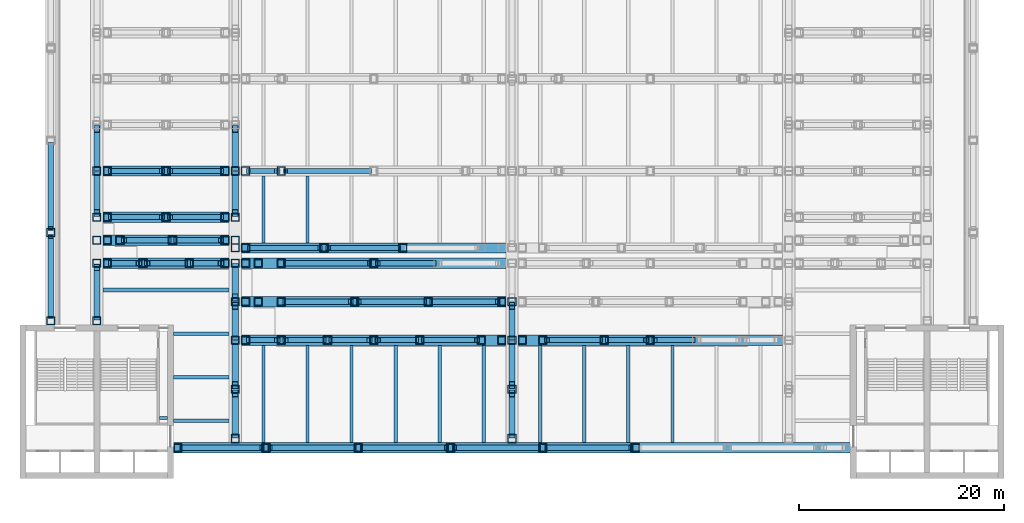
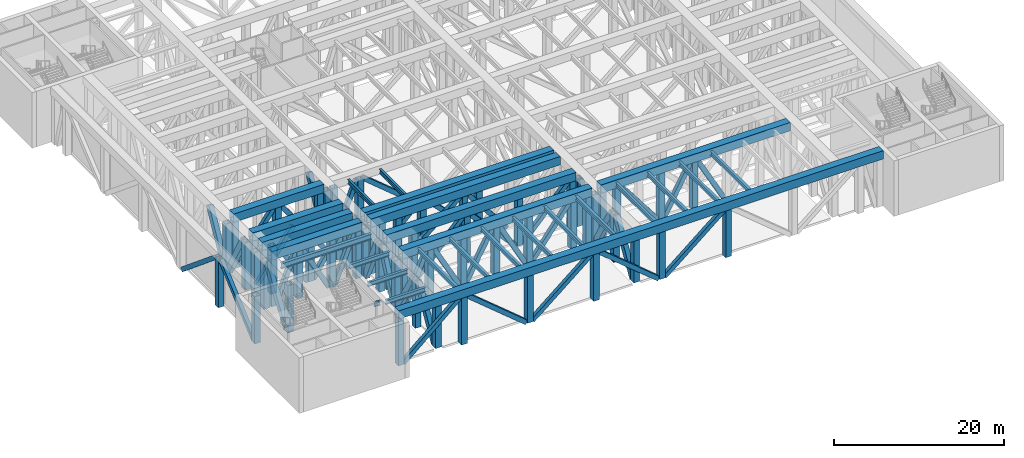
# One storey, part 1 of 20: 121 members, 17 beams.
"""IFC4 building model written with IfcOpenShell, lengths in metres."""

from ifc_helpers import new_model, si_unit, direction, frame, origin, origin_2d, place, context, subcontext, project, spatial, hollow_rectangle, i_section, extrude, material, material_profile, profile_set, type_object, element, save


model = new_model("IFC4")

# Units and contexts
model_context = context("Model", 3, precision=1e-05, world=origin(), true_north=direction((0.0, 1.0)))
body_context = subcontext(model_context, "Body", "Model", "MODEL_VIEW")
ifc_project = project(units=[si_unit("LENGTHUNIT", "METRE"), si_unit("AREAUNIT", "SQUARE_METRE"), si_unit("VOLUMEUNIT", "CUBIC_METRE"), si_unit("PLANEANGLEUNIT", "RADIAN"), si_unit("MASSUNIT", "GRAM", prefix="KILO")], contexts=[model_context])

# Site, building, storey
site_placement = place(None, origin())
site = spatial("IfcSite", under=ifc_project, at=site_placement, CompositionType="ELEMENT")
building_placement = place(site_placement, origin())
building = spatial("IfcBuilding", under=site, at=building_placement, Name="Corbelhall Arena Tower", CompositionType="ELEMENT")
storey_placement = place(building_placement, frame((0.0, 0.0, 52.0)))
storey = spatial("IfcBuildingStorey", under=building, at=storey_placement, Name="L07", CompositionType="ELEMENT", Elevation=52.0)

# Beams
ifc_material_1 = material(Name="Steel ASTM A992 Gr50", Category="steel")
ifc_material_profile_1 = material_profile(ifc_material_1, i_section(OverallWidth=0.323974609375, OverallDepth=0.611083984375, WebThickness=0.0126953125, FlangeThickness=0.01904296875, at=origin_2d()))
ifc_profile_set_1 = profile_set([ifc_material_profile_1], Name="Steel ASTM A992 Gr50")
beam_type_1 = type_object("IfcBeamType", Name="PO-BEAM-W24X104", PredefinedType="BEAM", material=ifc_profile_set_1)
for number, where, z_axis, x_axis, name in (
    (1, (-33.0, -33.375, 7.39453125), (1.0, 0.0, 0.0), (0.0, 1.0, 0.0), "DECK BEAM TOP 12.1"),
    (2, (-33.0, -29.125, 7.39453125), (1.0, 0.0, 0.0), (0.0, 1.0, 0.0), "DECK BEAM TOP 12.2"),
    (3, (-33.0, -24.875, 7.39453125), (1.0, 0.0, 0.0), (0.0, 1.0, 0.0), "DECK BEAM TOP 12.3"),
):
    element("IfcBeam", number, at=place(storey_placement, frame(where, z_axis=z_axis, x_axis=x_axis)), inside=storey, type_object=beam_type_1, Name=name, PredefinedType="BEAM", context=body_context, shape_type="SweptSolid", body=[
        extrude(i_section(OverallWidth=0.323974609375, OverallDepth=0.611083984375, WebThickness=0.0126953125, FlangeThickness=0.01904296875, at=origin_2d()), origin(), (0.0, 0.0, 1.0), 5.39990234375),
    ])
for number, where, z_axis, x_axis, name in (
    (4, (-24.25, -35.5, 7.39453125), (0.0, 1.0, 0.0), (-1.0, 0.0, 0.0), "DECK BEAM TOP 17.1"),
    (5, (-19.949951171875, -35.5, 7.39453125), (0.0, 1.0, 0.0), (-1.0, 0.0, 0.0), "DECK BEAM TOP 17.2"),
    (6, (-15.64990234375, -35.5, 7.39453125), (0.0, 1.0, 0.0), (-1.0, 0.0, 0.0), "DECK BEAM TOP 17.3"),
    (7, (-11.35009765625, -35.5, 7.39453125), (0.0, 1.0, 0.0), (-1.0, 0.0, 0.0), "DECK BEAM TOP 17.4"),
    (8, (-7.050048828125, -35.5, 7.39453125), (0.0, 1.0, 0.0), (-1.0, 0.0, 0.0), "DECK BEAM TOP 17.5"),
    (9, (-2.75, -35.5, 7.39453125), (0.0, 1.0, 0.0), (-1.0, 0.0, 0.0), "DECK BEAM TOP 17.6"),
):
    element("IfcBeam", number, at=place(storey_placement, frame(where, z_axis=z_axis, x_axis=x_axis)), inside=storey, type_object=beam_type_1, Name=name, PredefinedType="BEAM", context=body_context, shape_type="SweptSolid", body=[
        extrude(i_section(OverallWidth=0.323974609375, OverallDepth=0.611083984375, WebThickness=0.0126953125, FlangeThickness=0.01904296875, at=origin_2d()), origin(), (0.0, 0.0, 1.0), 9.5),
    ])
for number, where, z_axis, x_axis, name in (
    (10, (-24.25, -16.0, 7.284423828125), (0.0, 1.0, 0.0), (-1.0, 0.0, 0.0), "DECK BEAM TOP 21.1"),
    (11, (-19.949951171875, -16.0, 7.284423828125), (0.0, 1.0, 0.0), (-1.0, 0.0, 0.0), "DECK BEAM TOP 21.2"),
):
    element("IfcBeam", number, at=place(storey_placement, frame(where, z_axis=z_axis, x_axis=x_axis)), inside=storey, type_object=beam_type_1, Name=name, PredefinedType="BEAM", context=body_context, shape_type="SweptSolid", body=[
        extrude(i_section(OverallWidth=0.323974609375, OverallDepth=0.611083984375, WebThickness=0.0126953125, FlangeThickness=0.01904296875, at=origin_2d()), origin(), (0.0, 0.0, 1.0), 6.5),
    ])
for number, where, z_axis, x_axis, name in (
    (12, (2.75, -35.5, 7.39453125), (0.0, 1.0, 0.0), (-1.0, 0.0, 0.0), "DECK BEAM TOP 28.1"),
    (13, (7.050048828125, -35.5, 7.39453125), (0.0, 1.0, 0.0), (-1.0, 0.0, 0.0), "DECK BEAM TOP 28.2"),
    (14, (11.35009765625, -35.5, 7.39453125), (0.0, 1.0, 0.0), (-1.0, 0.0, 0.0), "DECK BEAM TOP 28.3"),
    (15, (15.64990234375, -35.5, 7.39453125), (0.0, 1.0, 0.0), (-1.0, 0.0, 0.0), "DECK BEAM TOP 28.4"),
):
    element("IfcBeam", number, at=place(storey_placement, frame(where, z_axis=z_axis, x_axis=x_axis)), inside=storey, type_object=beam_type_1, Name=name, PredefinedType="BEAM", context=body_context, shape_type="SweptSolid", body=[
        extrude(i_section(OverallWidth=0.323974609375, OverallDepth=0.611083984375, WebThickness=0.0126953125, FlangeThickness=0.01904296875, at=origin_2d()), origin(), (0.0, 0.0, 1.0), 9.5),
    ])
beam_1_placement = place(storey_placement, frame((-34.409912109375, -33.10009765625, 7.39453125), z_axis=(1.0, 0.0, 0.0), x_axis=(0.0, 1.0, 0.0)))
element("IfcBeam", 16, at=beam_1_placement, inside=storey, type_object=beam_type_1, Name="Strip floor header beam SW", PredefinedType="BEAM", context=body_context, shape_type="SweptSolid", body=[
    extrude(i_section(OverallWidth=0.323974609375, OverallDepth=0.611083984375, WebThickness=0.0126953125, FlangeThickness=0.01904296875, at=origin_2d()), origin(), (0.0, 0.0, 1.0), 0.809814453125),
])
ifc_material_profile_2 = material_profile(ifc_material_1, i_section(OverallWidth=0.381103515625, OverallDepth=0.77294921875, WebThickness=0.0166015625, FlangeThickness=0.027099609375, at=origin_2d()))
ifc_profile_set_2 = profile_set([ifc_material_profile_2], Name="Steel ASTM A992 Gr50")
beam_type_2 = type_object("IfcBeamType", Name="PO-BEAM-W30X173", PredefinedType="BEAM", material=ifc_profile_set_2)
beam_2_placement = place(storey_placement, frame((-39.89990234375, -20.625, 7.3134765625), z_axis=(1.0, 0.0, 0.0), x_axis=(0.0, 1.0, 0.0)))
element("IfcBeam", 17, at=beam_2_placement, inside=storey, type_object=beam_type_2, Name="DECK BEAM TOP 12.4", PredefinedType="BEAM", context=body_context, shape_type="SweptSolid", body=[
    extrude(i_section(OverallWidth=0.381103515625, OverallDepth=0.77294921875, WebThickness=0.0166015625, FlangeThickness=0.027099609375, at=origin_2d()), origin(), (0.0, 0.0, 1.0), 12.2998046875),
])

# Members
ifc_material_2 = material(Name="Steel ASTM A572 Gr50", Category="steel")
ifc_material_profile_3 = material_profile(ifc_material_2, hollow_rectangle(XDim=0.5, YDim=0.60009765625, WallThickness=0.030029296875, at=origin_2d()))
ifc_profile_set_3 = profile_set([ifc_material_profile_3], Name="Steel ASTM A572 Gr50")
member_type_1 = type_object("IfcMemberType", Name="PO-BRACE-600X500X30", PredefinedType="BRACE", material=ifc_profile_set_3)
member_1_placement = place(storey_placement, frame((-32.199951171875, -36.0, 0.0), z_axis=(0.753772430258, 0.0, 0.657135544148), x_axis=(0.0, 1.0, 0.0)))
element("IfcMember", 18, at=member_1_placement, inside=storey, type_object=member_type_1, Name="TRUSS EDGE-S BRACE 2.1", PredefinedType="BRACE", context=body_context, shape_type="SweptSolid", body=[
    extrude(hollow_rectangle(XDim=0.5, YDim=0.60009765625, WallThickness=0.030029296875, at=origin_2d()), origin(), (0.0, 0.0, 1.0), 10.347900390625),
])
for number, where, z_axis, x_axis, name in (
    (19, (-23.60009765625, -36.0, 6.800048828125), (0.769763178873, 0.0, -0.638329576669), (0.0, 1.0, 0.0), "TRUSS EDGE-S BRACE 2.2"),
    (20, (-14.60009765625, -36.0, 0.0), (0.769763178873, 0.0, 0.638329576669), (0.0, 1.0, 0.0), "TRUSS EDGE-S BRACE 2.3"),
    (21, (-5.60009765625, -36.0, 6.800048828125), (0.769763178873, 0.0, -0.638329576669), (0.0, 1.0, 0.0), "TRUSS EDGE-S BRACE 2.4"),
    (22, (3.39990234375, -36.0, 0.0), (0.769763178873, 0.0, 0.638329576669), (0.0, 1.0, 0.0), "TRUSS EDGE-S BRACE 2.5"),
):
    element("IfcMember", number, at=place(storey_placement, frame(where, z_axis=z_axis, x_axis=x_axis)), inside=storey, type_object=member_type_1, Name=name, PredefinedType="BRACE", context=body_context, shape_type="SweptSolid", body=[
        extrude(hollow_rectangle(XDim=0.5, YDim=0.60009765625, WallThickness=0.030029296875, at=origin_2d()), origin(), (0.0, 0.0, 1.0), 10.65283203125),
    ])
member_2_placement = place(storey_placement, frame((-45.0, -23.199951171875, 0.0), z_axis=(0.0, 0.753772430258, 0.657135544148), x_axis=(-1.0, 0.0, 0.0)))
element("IfcMember", 23, at=member_2_placement, inside=storey, type_object=member_type_1, Name="TRUSS EDGE-W BRACE 2.1", PredefinedType="BRACE", context=body_context, shape_type="SweptSolid", body=[
    extrude(hollow_rectangle(XDim=0.5, YDim=0.60009765625, WallThickness=0.030029296875, at=origin_2d()), origin(), (0.0, 0.0, 1.0), 10.347900390625),
])
member_3_placement = place(storey_placement, frame((-45.0, -14.60009765625, 6.800048828125), z_axis=(0.0, 0.769763178873, -0.638329576669), x_axis=(-1.0, 0.0, 0.0)))
element("IfcMember", 24, at=member_3_placement, inside=storey, type_object=member_type_1, Name="TRUSS EDGE-W BRACE 2.2", PredefinedType="BRACE", context=body_context, shape_type="SweptSolid", body=[
    extrude(hollow_rectangle(XDim=0.5, YDim=0.60009765625, WallThickness=0.030029296875, at=origin_2d()), origin(), (0.0, 0.0, 1.0), 10.65283203125),
])
member_4_placement = place(storey_placement, frame((-25.60009765625, -25.5, 0.0), z_axis=(0.369053718093, 0.0, 0.929408066008), x_axis=(0.0, 1.0, 0.0)))
element("IfcMember", 25, at=member_4_placement, inside=storey, type_object=member_type_1, Name="TRUSS SEC-S25.50-1 BRACE 2.1", PredefinedType="BRACE", context=body_context, shape_type="SweptSolid", body=[
    extrude(hollow_rectangle(XDim=0.5, YDim=0.60009765625, WallThickness=0.030029296875, at=origin_2d()), origin(), (0.0, 0.0, 1.0), 7.316650390625),
])
for number, where, z_axis, x_axis, name in (
    (26, (-22.10009765625, -25.5, 6.800048828125), (0.477963647565, 0.0, -0.878379617026), (0.0, 1.0, 0.0), "TRUSS SEC-S25.50-1 BRACE 2.2"),
    (27, (-17.60009765625, -25.5, 0.0), (0.477963647565, 0.0, 0.878379617026), (0.0, 1.0, 0.0), "TRUSS SEC-S25.50-1 BRACE 2.3"),
    (28, (-13.10009765625, -25.5, 6.800048828125), (0.477963647565, 0.0, -0.878379617026), (0.0, 1.0, 0.0), "TRUSS SEC-S25.50-1 BRACE 2.4"),
):
    element("IfcMember", number, at=place(storey_placement, frame(where, z_axis=z_axis, x_axis=x_axis)), inside=storey, type_object=member_type_1, Name=name, PredefinedType="BRACE", context=body_context, shape_type="SweptSolid", body=[
        extrude(hollow_rectangle(XDim=0.5, YDim=0.60009765625, WallThickness=0.030029296875, at=origin_2d()), origin(), (0.0, 0.0, 1.0), 7.74169921875),
    ])
for number, where, z_axis, x_axis, name in (
    (29, (-8.60009765625, -25.5, 0.0), (0.607461751861, 0.0, 0.794348928385), (0.0, 1.0, 0.0), "TRUSS SEC-S25.50-1 BRACE 2.5"),
    (30, (3.39990234375, -25.5, 6.800048828125), (0.607461751861, 0.0, -0.794348928385), (0.0, 1.0, 0.0), "TRUSS SEC-S25.50-2 BRACE 2.2"),
):
    element("IfcMember", number, at=place(storey_placement, frame(where, z_axis=z_axis, x_axis=x_axis)), inside=storey, type_object=member_type_1, Name=name, PredefinedType="BRACE", context=body_context, shape_type="SweptSolid", body=[
        extrude(hollow_rectangle(XDim=0.5, YDim=0.60009765625, WallThickness=0.030029296875, at=origin_2d()), origin(), (0.0, 0.0, 1.0), 8.560546875),
    ])
for number, where, z_axis, x_axis, name in (
    (31, (9.39990234375, -25.5, 0.0), (0.477963647565, 0.0, 0.878379617026), (0.0, 1.0, 0.0), "TRUSS SEC-S25.50-2 BRACE 2.3"),
    (32, (13.89990234375, -25.5, 6.800048828125), (0.477963647565, 0.0, -0.878379617026), (0.0, 1.0, 0.0), "TRUSS SEC-S25.50-2 BRACE 2.4"),
):
    element("IfcMember", number, at=place(storey_placement, frame(where, z_axis=z_axis, x_axis=x_axis)), inside=storey, type_object=member_type_1, Name=name, PredefinedType="BRACE", context=body_context, shape_type="SweptSolid", body=[
        extrude(hollow_rectangle(XDim=0.5, YDim=0.60009765625, WallThickness=0.030029296875, at=origin_2d()), origin(), (0.0, 0.0, 1.0), 7.74169921875),
    ])
for number, where, z_axis, x_axis, name in (
    (33, (-22.10009765625, -21.75, 0.0), (0.683464108742, 0.0, 0.729984117677), (0.0, 1.0, 0.0), "TRUSS SEC-S21.75-1 BRACE 2.3"),
    (34, (-14.933349609375, -21.75, 6.800048828125), (0.683464108742, 0.0, -0.729984117677), (0.0, 1.0, 0.0), "TRUSS SEC-S21.75-1 BRACE 2.4"),
    (35, (-7.7666015625, -21.75, 0.0), (0.683464108742, 0.0, 0.729984117677), (0.0, 1.0, 0.0), "TRUSS SEC-S21.75-1 BRACE 2.5"),
):
    element("IfcMember", number, at=place(storey_placement, frame(where, z_axis=z_axis, x_axis=x_axis)), inside=storey, type_object=member_type_1, Name=name, PredefinedType="BRACE", context=body_context, shape_type="SweptSolid", body=[
        extrude(hollow_rectangle(XDim=0.5, YDim=0.60009765625, WallThickness=0.030029296875, at=origin_2d()), origin(), (0.0, 0.0, 1.0), 9.3154296875),
    ])
member_5_placement = place(storey_placement, frame((-39.10009765625, -18.0, 0.0), z_axis=(0.369053718093, 0.0, 0.929408066008), x_axis=(0.0, 1.0, 0.0)))
element("IfcMember", 36, at=member_5_placement, inside=storey, type_object=member_type_1, Name="TRUSS SEC-S18.00-0 BRACE 2.1", PredefinedType="BRACE", context=body_context, shape_type="SweptSolid", body=[
    extrude(hollow_rectangle(XDim=0.5, YDim=0.60009765625, WallThickness=0.030029296875, at=origin_2d()), origin(), (0.0, 0.0, 1.0), 7.316650390625),
])
member_6_placement = place(storey_placement, frame((-35.60009765625, -18.0, 6.800048828125), z_axis=(0.477963647565, 0.0, -0.878379617026), x_axis=(0.0, 1.0, 0.0)))
element("IfcMember", 37, at=member_6_placement, inside=storey, type_object=member_type_1, Name="TRUSS SEC-S18.00-0 BRACE 2.2", PredefinedType="BRACE", context=body_context, shape_type="SweptSolid", body=[
    extrude(hollow_rectangle(XDim=0.5, YDim=0.60009765625, WallThickness=0.030029296875, at=origin_2d()), origin(), (0.0, 0.0, 1.0), 7.74169921875),
])
member_7_placement = place(storey_placement, frame((-31.10009765625, -18.0, 0.0), z_axis=(0.369053718093, 0.0, 0.929408066008), x_axis=(0.0, 1.0, 0.0)))
element("IfcMember", 38, at=member_7_placement, inside=storey, type_object=member_type_1, Name="TRUSS SEC-S18.00-0 BRACE 2.3", PredefinedType="BRACE", context=body_context, shape_type="SweptSolid", body=[
    extrude(hollow_rectangle(XDim=0.5, YDim=0.60009765625, WallThickness=0.030029296875, at=origin_2d()), origin(), (0.0, 0.0, 1.0), 7.316650390625),
])
member_8_placement = place(storey_placement, frame((-22.10009765625, -18.0, 0.0), z_axis=(0.769763178873, 0.0, 0.638329576669), x_axis=(0.0, 1.0, 0.0)))
element("IfcMember", 39, at=member_8_placement, inside=storey, type_object=member_type_1, Name="TRUSS SEC-S18.00-1 BRACE 2.3", PredefinedType="BRACE", context=body_context, shape_type="SweptSolid", body=[
    extrude(hollow_rectangle(XDim=0.5, YDim=0.60009765625, WallThickness=0.030029296875, at=origin_2d()), origin(), (0.0, 0.0, 1.0), 10.65283203125),
])
member_9_placement = place(storey_placement, frame((-13.10009765625, -18.0, 6.800048828125), z_axis=(0.625405411621, 0.0, -0.780299987899), x_axis=(0.0, 1.0, 0.0)))
element("IfcMember", 40, at=member_9_placement, inside=storey, type_object=member_type_1, Name="TRUSS SEC-S18.00-1 BRACE 2.4", PredefinedType="BRACE", context=body_context, shape_type="SweptSolid", body=[
    extrude(hollow_rectangle(XDim=0.5, YDim=0.60009765625, WallThickness=0.030029296875, at=origin_2d()), origin(), (0.0, 0.0, 1.0), 8.714599609375),
])
for number, where, z_axis, x_axis, name in (
    (41, (-25.60009765625, -16.5, 0.0), (0.71054677033, 0.0, 0.703649974898), (0.0, 1.0, 0.0), "TRUSS SEC-S16.50-1 BRACE 2.1"),
    (42, (-17.933349609375, -16.5, 6.800048828125), (0.71054677033, 0.0, -0.703649974898), (0.0, 1.0, 0.0), "TRUSS SEC-S16.50-1 BRACE 2.2"),
):
    element("IfcMember", number, at=place(storey_placement, frame(where, z_axis=z_axis, x_axis=x_axis)), inside=storey, type_object=member_type_1, Name=name, PredefinedType="BRACE", context=body_context, shape_type="SweptSolid", body=[
        extrude(hollow_rectangle(XDim=0.5, YDim=0.60009765625, WallThickness=0.030029296875, at=origin_2d()), origin(), (0.0, 0.0, 1.0), 9.6640625),
    ])
for number, where, z_axis, x_axis, name in (
    (43, (-37.85009765625, -15.75, 6.800048828125), (0.536689259852, 0.0, -0.843779970347), (0.0, 1.0, 0.0), "TRUSS SEC-S15.75-0 BRACE 2.2"),
    (44, (-32.72509765625, -15.75, 0.0), (0.536689259852, 0.0, 0.843779970347), (0.0, 1.0, 0.0), "TRUSS SEC-S15.75-0 BRACE 2.3"),
):
    element("IfcMember", number, at=place(storey_placement, frame(where, z_axis=z_axis, x_axis=x_axis)), inside=storey, type_object=member_type_1, Name=name, PredefinedType="BRACE", context=body_context, shape_type="SweptSolid", body=[
        extrude(hollow_rectangle(XDim=0.5, YDim=0.60009765625, WallThickness=0.030029296875, at=origin_2d()), origin(), (0.0, 0.0, 1.0), 8.05908203125),
    ])
for number, where, z_axis, x_axis, name in (
    (45, (-39.10009765625, -13.5, 0.0), (0.588537525925, 0.0, 0.808469900848), (0.0, 1.0, 0.0), "TRUSS SEC-S13.50-0 BRACE 2.1"),
    (46, (-33.35009765625, -13.5, 6.800048828125), (0.588537525925, 0.0, -0.808469900848), (0.0, 1.0, 0.0), "TRUSS SEC-S13.50-0 BRACE 2.2"),
    (47, (-39.10009765625, -9.0, 0.0), (0.588537525925, 0.0, 0.808469900848), (0.0, 1.0, 0.0), "TRUSS SEC-S09.00-0 BRACE 2.1"),
    (48, (-33.35009765625, -9.0, 6.800048828125), (0.588537525925, 0.0, -0.808469900848), (0.0, 1.0, 0.0), "TRUSS SEC-S09.00-0 BRACE 2.2"),
):
    element("IfcMember", number, at=place(storey_placement, frame(where, z_axis=z_axis, x_axis=x_axis)), inside=storey, type_object=member_type_1, Name=name, PredefinedType="BRACE", context=body_context, shape_type="SweptSolid", body=[
        extrude(hollow_rectangle(XDim=0.5, YDim=0.60009765625, WallThickness=0.030029296875, at=origin_2d()), origin(), (0.0, 0.0, 1.0), 8.410888671875),
    ])
member_10_placement = place(storey_placement, frame((-25.60009765625, -9.0, 0.0), z_axis=(0.369053718093, 0.0, 0.929408066008), x_axis=(0.0, 1.0, 0.0)))
element("IfcMember", 49, at=member_10_placement, inside=storey, type_object=member_type_1, Name="TRUSS SEC-S09.00-1 BRACE 2.1", PredefinedType="BRACE", context=body_context, shape_type="SweptSolid", body=[
    extrude(hollow_rectangle(XDim=0.5, YDim=0.60009765625, WallThickness=0.030029296875, at=origin_2d()), origin(), (0.0, 0.0, 1.0), 7.316650390625),
])
member_11_placement = place(storey_placement, frame((-22.10009765625, -9.0, 6.800048828125), z_axis=(0.769763178873, 0.0, -0.638329576669), x_axis=(0.0, 1.0, 0.0)))
element("IfcMember", 50, at=member_11_placement, inside=storey, type_object=member_type_1, Name="TRUSS SEC-S09.00-1 BRACE 2.2", PredefinedType="BRACE", context=body_context, shape_type="SweptSolid", body=[
    extrude(hollow_rectangle(XDim=0.5, YDim=0.60009765625, WallThickness=0.030029296875, at=origin_2d()), origin(), (0.0, 0.0, 1.0), 10.65283203125),
])
ifc_material_profile_4 = material_profile(ifc_material_2, hollow_rectangle(XDim=0.60009765625, YDim=0.800048828125, WallThickness=0.0400390625, at=origin_2d()))
ifc_profile_set_4 = profile_set([ifc_material_profile_4], Name="Steel ASTM A572 Gr50")
member_type_2 = type_object("IfcMemberType", Name="PO-BRACE-800X600X40", PredefinedType="BRACE", material=ifc_profile_set_4)
member_12_placement = place(storey_placement, frame((-40.5, -23.199951171875, 0.0), z_axis=(0.0, 0.576684349177, 0.816967050385), x_axis=(-1.0, 0.0, 0.0)))
element("IfcMember", 51, at=member_12_placement, inside=storey, type_object=member_type_2, Name="TRUSS PRI--40.5 BRACE 2.1", PredefinedType="BRACE", context=body_context, shape_type="SweptSolid", body=[
    extrude(hollow_rectangle(XDim=0.60009765625, YDim=0.800048828125, WallThickness=0.0400390625, at=origin_2d()), origin(), (0.0, 0.0, 1.0), 8.323486328125),
])
for number, where, z_axis, x_axis, name in (
    (52, (-40.5, -13.10009765625, 6.800048828125), (0.0, 0.477963647565, -0.878379617026), (-1.0, 0.0, 0.0), "TRUSS PRI--40.5 BRACE 2.4"),
    (53, (-40.5, -8.60009765625, 0.0), (0.0, 0.477963647565, 0.878379617026), (-1.0, 0.0, 0.0), "TRUSS PRI--40.5 BRACE 2.5"),
):
    element("IfcMember", number, at=place(storey_placement, frame(where, z_axis=z_axis, x_axis=x_axis)), inside=storey, type_object=member_type_2, Name=name, PredefinedType="BRACE", context=body_context, shape_type="SweptSolid", body=[
        extrude(hollow_rectangle(XDim=0.60009765625, YDim=0.800048828125, WallThickness=0.0400390625, at=origin_2d()), origin(), (0.0, 0.0, 1.0), 7.74169921875),
    ])
for number, where, z_axis, x_axis, name in (
    (54, (-27.0, -34.699951171875, 0.0), (0.0, 0.507017421779, 0.861935806202), (-1.0, 0.0, 0.0), "TRUSS PRI--27.0 BRACE 2.1"),
    (55, (-27.0, -29.89990234375, 6.800048828125), (0.0, 0.507017421779, -0.861935806202), (-1.0, 0.0, 0.0), "TRUSS PRI--27.0 BRACE 2.2"),
):
    element("IfcMember", number, at=place(storey_placement, frame(where, z_axis=z_axis, x_axis=x_axis)), inside=storey, type_object=member_type_2, Name=name, PredefinedType="BRACE", context=body_context, shape_type="SweptSolid", body=[
        extrude(hollow_rectangle(XDim=0.60009765625, YDim=0.800048828125, WallThickness=0.0400390625, at=origin_2d()), origin(), (0.0, 0.0, 1.0), 7.88916015625),
    ])
for number, where, z_axis, x_axis, name in (
    (56, (-27.0, -25.10009765625, 0.0), (0.0, 0.398005781953, 0.917382906715), (-1.0, 0.0, 0.0), "TRUSS PRI--27.0 BRACE 2.3"),
    (57, (-27.0, -21.35009765625, 6.800048828125), (0.0, 0.398005781953, -0.917382906715), (-1.0, 0.0, 0.0), "TRUSS PRI--27.0 BRACE 2.4"),
):
    element("IfcMember", number, at=place(storey_placement, frame(where, z_axis=z_axis, x_axis=x_axis)), inside=storey, type_object=member_type_2, Name=name, PredefinedType="BRACE", context=body_context, shape_type="SweptSolid", body=[
        extrude(hollow_rectangle(XDim=0.60009765625, YDim=0.800048828125, WallThickness=0.0400390625, at=origin_2d()), origin(), (0.0, 0.0, 1.0), 7.412353515625),
    ])
for number, where, z_axis, x_axis, name in (
    (58, (-27.0, -13.10009765625, 6.800048828125), (0.0, 0.477963647565, -0.878379617026), (-1.0, 0.0, 0.0), "TRUSS PRI--27.0 BRACE 2.8"),
    (59, (-27.0, -8.60009765625, 0.0), (0.0, 0.477963647565, 0.878379617026), (-1.0, 0.0, 0.0), "TRUSS PRI--27.0 BRACE 2.9"),
):
    element("IfcMember", number, at=place(storey_placement, frame(where, z_axis=z_axis, x_axis=x_axis)), inside=storey, type_object=member_type_2, Name=name, PredefinedType="BRACE", context=body_context, shape_type="SweptSolid", body=[
        extrude(hollow_rectangle(XDim=0.60009765625, YDim=0.800048828125, WallThickness=0.0400390625, at=origin_2d()), origin(), (0.0, 0.0, 1.0), 7.74169921875),
    ])
for number, where, z_axis, x_axis, name in (
    (60, (0.0, -34.699951171875, 0.0), (0.0, 0.507017421779, 0.861935806202), (-1.0, 0.0, 0.0), "TRUSS PRI-+0.0 BRACE 2.1"),
    (61, (0.0, -29.89990234375, 6.800048828125), (0.0, 0.507017421779, -0.861935806202), (-1.0, 0.0, 0.0), "TRUSS PRI-+0.0 BRACE 2.2"),
):
    element("IfcMember", number, at=place(storey_placement, frame(where, z_axis=z_axis, x_axis=x_axis)), inside=storey, type_object=member_type_2, Name=name, PredefinedType="BRACE", context=body_context, shape_type="SweptSolid", body=[
        extrude(hollow_rectangle(XDim=0.60009765625, YDim=0.800048828125, WallThickness=0.0400390625, at=origin_2d()), origin(), (0.0, 0.0, 1.0), 7.88916015625),
    ])
member_13_placement = place(storey_placement, frame((0.0, -25.10009765625, 0.0), z_axis=(0.0, 0.398005781953, 0.917382906715), x_axis=(-1.0, 0.0, 0.0)))
element("IfcMember", 62, at=member_13_placement, inside=storey, type_object=member_type_2, Name="TRUSS PRI-+0.0 BRACE 2.3", PredefinedType="BRACE", context=body_context, shape_type="SweptSolid", body=[
    extrude(hollow_rectangle(XDim=0.60009765625, YDim=0.800048828125, WallThickness=0.0400390625, at=origin_2d()), origin(), (0.0, 0.0, 1.0), 7.412353515625),
])
ifc_material_profile_5 = material_profile(ifc_material_2, hollow_rectangle(XDim=1.0, YDim=1.199951171875, WallThickness=0.06005859375, at=origin_2d()))
ifc_profile_set_5 = profile_set([ifc_material_profile_5], Name="Steel ASTM A572 Gr50")
member_type_3 = type_object("IfcMemberType", Name="PO-CHORD-1200X1000X60", PredefinedType="CHORD", material=ifc_profile_set_5)
member_14_placement = place(storey_placement, frame((-33.0, -36.0, 7.39990234375), z_axis=(1.0, 0.0, 0.0), x_axis=(0.0, 1.0, 0.0)))
element("IfcMember", 63, at=member_14_placement, inside=storey, type_object=member_type_3, Name="TRUSS EDGE-S TOP CHORD", PredefinedType="CHORD", context=body_context, shape_type="SweptSolid", body=[
    extrude(hollow_rectangle(XDim=1.0, YDim=1.199951171875, WallThickness=0.06005859375, at=origin_2d()), origin(), (0.0, 0.0, 1.0), 66.0),
])
for number, where, z_axis, x_axis, name in (
    (64, (-26.39990234375, -25.5, 7.39990234375), (1.0, 0.0, 0.0), (0.0, 1.0, 0.0), "TRUSS SEC-S25.50-1 TOP CHORD"),
    (65, (0.60009765625, -25.5, 7.39990234375), (1.0, 0.0, 0.0), (0.0, 1.0, 0.0), "TRUSS SEC-S25.50-2 TOP CHORD"),
    (66, (-26.39990234375, -21.75, 7.39990234375), (1.0, 0.0, 0.0), (0.0, 1.0, 0.0), "TRUSS SEC-S21.75-1 TOP CHORD"),
):
    element("IfcMember", number, at=place(storey_placement, frame(where, z_axis=z_axis, x_axis=x_axis)), inside=storey, type_object=member_type_3, Name=name, PredefinedType="CHORD", context=body_context, shape_type="SweptSolid", body=[
        extrude(hollow_rectangle(XDim=1.0, YDim=1.199951171875, WallThickness=0.06005859375, at=origin_2d()), origin(), (0.0, 0.0, 1.0), 25.7998046875),
    ])
member_15_placement = place(storey_placement, frame((-39.89990234375, -18.0, 7.39990234375), z_axis=(1.0, 0.0, 0.0), x_axis=(0.0, 1.0, 0.0)))
element("IfcMember", 67, at=member_15_placement, inside=storey, type_object=member_type_3, Name="TRUSS SEC-S18.00-0 TOP CHORD", PredefinedType="CHORD", context=body_context, shape_type="SweptSolid", body=[
    extrude(hollow_rectangle(XDim=1.0, YDim=1.199951171875, WallThickness=0.06005859375, at=origin_2d()), origin(), (0.0, 0.0, 1.0), 12.2998046875),
])
for number, where, z_axis, x_axis, name in (
    (68, (-26.39990234375, -18.0, 7.39990234375), (1.0, 0.0, 0.0), (0.0, 1.0, 0.0), "TRUSS SEC-S18.00-1 TOP CHORD"),
    (69, (-26.39990234375, -16.5, 7.39990234375), (1.0, 0.0, 0.0), (0.0, 1.0, 0.0), "TRUSS SEC-S16.50-1 TOP CHORD"),
):
    element("IfcMember", number, at=place(storey_placement, frame(where, z_axis=z_axis, x_axis=x_axis)), inside=storey, type_object=member_type_3, Name=name, PredefinedType="CHORD", context=body_context, shape_type="SweptSolid", body=[
        extrude(hollow_rectangle(XDim=1.0, YDim=1.199951171875, WallThickness=0.06005859375, at=origin_2d()), origin(), (0.0, 0.0, 1.0), 25.7998046875),
    ])
for number, where, z_axis, x_axis, name in (
    (70, (-39.89990234375, -15.75, 7.39990234375), (1.0, 0.0, 0.0), (0.0, 1.0, 0.0), "TRUSS SEC-S15.75-0 TOP CHORD"),
    (71, (-39.89990234375, -13.5, 7.39990234375), (1.0, 0.0, 0.0), (0.0, 1.0, 0.0), "TRUSS SEC-S13.50-0 TOP CHORD"),
    (72, (-39.89990234375, -9.0, 7.39990234375), (1.0, 0.0, 0.0), (0.0, 1.0, 0.0), "TRUSS SEC-S09.00-0 TOP CHORD"),
):
    element("IfcMember", number, at=place(storey_placement, frame(where, z_axis=z_axis, x_axis=x_axis)), inside=storey, type_object=member_type_3, Name=name, PredefinedType="CHORD", context=body_context, shape_type="SweptSolid", body=[
        extrude(hollow_rectangle(XDim=1.0, YDim=1.199951171875, WallThickness=0.06005859375, at=origin_2d()), origin(), (0.0, 0.0, 1.0), 12.2998046875),
    ])
ifc_material_profile_6 = material_profile(ifc_material_2, hollow_rectangle(XDim=0.800048828125, YDim=0.800048828125, WallThickness=0.050048828125, at=origin_2d()))
ifc_profile_set_6 = profile_set([ifc_material_profile_6], Name="Steel ASTM A572 Gr50")
member_type_4 = type_object("IfcMemberType", Name="PO-POST-800", PredefinedType="POST", material=ifc_profile_set_6)
for number, where, z_axis, x_axis, name in (
    (73, (-32.60009765625, -36.0, 0.0), (0.0, 0.0, 1.0), (1.0, 0.0, 0.0), "TRUSS EDGE-S POST 2.1"),
    (74, (-24.0, -36.0, 0.0), (0.0, 0.0, 1.0), (1.0, 0.0, 0.0), "TRUSS EDGE-S POST 2.2"),
    (75, (-15.0, -36.0, 0.0), (0.0, 0.0, 1.0), (1.0, 0.0, 0.0), "TRUSS EDGE-S POST 2.3"),
    (76, (-6.0, -36.0, 0.0), (0.0, 0.0, 1.0), (1.0, 0.0, 0.0), "TRUSS EDGE-S POST 2.4"),
    (77, (3.0, -36.0, 0.0), (0.0, 0.0, 1.0), (1.0, 0.0, 0.0), "TRUSS EDGE-S POST 2.5"),
    (78, (12.0, -36.0, 0.0), (0.0, 0.0, 1.0), (1.0, 0.0, 0.0), "TRUSS EDGE-S POST 2.6"),
    (79, (-45.0, -23.60009765625, 0.0), (0.0, 0.0, 1.0), (1.0, 0.0, 0.0), "TRUSS EDGE-W POST 2.1"),
    (80, (-45.0, -15.0, 0.0), (0.0, 0.0, 1.0), (1.0, 0.0, 0.0), "TRUSS EDGE-W POST 2.2"),
    (81, (-26.0, -25.5, 0.0), (0.0, 0.0, 1.0), (1.0, 0.0, 0.0), "TRUSS SEC-S25.50-1 POST 2.1"),
    (82, (-22.5, -25.5, 0.0), (0.0, 0.0, 1.0), (1.0, 0.0, 0.0), "TRUSS SEC-S25.50-1 POST 2.2"),
    (83, (-18.0, -25.5, 0.0), (0.0, 0.0, 1.0), (1.0, 0.0, 0.0), "TRUSS SEC-S25.50-1 POST 2.3"),
    (84, (-13.5, -25.5, 0.0), (0.0, 0.0, 1.0), (1.0, 0.0, 0.0), "TRUSS SEC-S25.50-1 POST 2.4"),
    (85, (-9.0, -25.5, 0.0), (0.0, 0.0, 1.0), (1.0, 0.0, 0.0), "TRUSS SEC-S25.50-1 POST 2.5"),
    (86, (-3.0, -25.5, 0.0), (0.0, 0.0, 1.0), (1.0, 0.0, 0.0), "TRUSS SEC-S25.50-1 POST 2.6"),
    (87, (-1.0, -25.5, 0.0), (0.0, 0.0, 1.0), (1.0, 0.0, 0.0), "TRUSS SEC-S25.50-1 POST 2.7"),
    (88, (1.0, -25.5, 0.0), (0.0, 0.0, 1.0), (1.0, 0.0, 0.0), "TRUSS SEC-S25.50-2 POST 2.1"),
    (89, (3.0, -25.5, 0.0), (0.0, 0.0, 1.0), (1.0, 0.0, 0.0), "TRUSS SEC-S25.50-2 POST 2.2"),
    (90, (9.0, -25.5, 0.0), (0.0, 0.0, 1.0), (1.0, 0.0, 0.0), "TRUSS SEC-S25.50-2 POST 2.3"),
    (91, (13.5, -25.5, 0.0), (0.0, 0.0, 1.0), (1.0, 0.0, 0.0), "TRUSS SEC-S25.50-2 POST 2.4"),
    (92, (-26.0, -21.75, 0.0), (0.0, 0.0, 1.0), (1.0, 0.0, 0.0), "TRUSS SEC-S21.75-1 POST 2.1"),
    (93, (-24.75, -21.75, 0.0), (0.0, 0.0, 1.0), (1.0, 0.0, 0.0), "TRUSS SEC-S21.75-1 POST 2.2"),
    (94, (-22.5, -21.75, 0.0), (0.0, 0.0, 1.0), (1.0, 0.0, 0.0), "TRUSS SEC-S21.75-1 POST 2.3"),
    (95, (-15.333251953125, -21.75, 0.0), (0.0, 0.0, 1.0), (1.0, 0.0, 0.0), "TRUSS SEC-S21.75-1 POST 2.4"),
    (96, (-8.166748046875, -21.75, 0.0), (0.0, 0.0, 1.0), (1.0, 0.0, 0.0), "TRUSS SEC-S21.75-1 POST 2.5"),
    (97, (-1.0, -21.75, 0.0), (0.0, 0.0, 1.0), (1.0, 0.0, 0.0), "TRUSS SEC-S21.75-1 POST 2.6"),
    (98, (-39.5, -18.0, 0.0), (0.0, 0.0, 1.0), (1.0, 0.0, 0.0), "TRUSS SEC-S18.00-0 POST 2.1"),
    (99, (-36.0, -18.0, 0.0), (0.0, 0.0, 1.0), (1.0, 0.0, 0.0), "TRUSS SEC-S18.00-0 POST 2.2"),
    (100, (-31.5, -18.0, 0.0), (0.0, 0.0, 1.0), (1.0, 0.0, 0.0), "TRUSS SEC-S18.00-0 POST 2.3"),
    (101, (-28.0, -18.0, 0.0), (0.0, 0.0, 1.0), (1.0, 0.0, 0.0), "TRUSS SEC-S18.00-0 POST 2.4"),
    (102, (-26.0, -18.0, 0.0), (0.0, 0.0, 1.0), (1.0, 0.0, 0.0), "TRUSS SEC-S18.00-1 POST 2.1"),
    (103, (-24.75, -18.0, 0.0), (0.0, 0.0, 1.0), (1.0, 0.0, 0.0), "TRUSS SEC-S18.00-1 POST 2.2"),
    (104, (-22.5, -18.0, 0.0), (0.0, 0.0, 1.0), (1.0, 0.0, 0.0), "TRUSS SEC-S18.00-1 POST 2.3"),
    (105, (-13.5, -18.0, 0.0), (0.0, 0.0, 1.0), (1.0, 0.0, 0.0), "TRUSS SEC-S18.00-1 POST 2.4"),
    (106, (-26.0, -16.5, 0.0), (0.0, 0.0, 1.0), (1.0, 0.0, 0.0), "TRUSS SEC-S16.50-1 POST 2.1"),
    (107, (-18.333251953125, -16.5, 0.0), (0.0, 0.0, 1.0), (1.0, 0.0, 0.0), "TRUSS SEC-S16.50-1 POST 2.2"),
    (108, (-10.666748046875, -16.5, 0.0), (0.0, 0.0, 1.0), (1.0, 0.0, 0.0), "TRUSS SEC-S16.50-1 POST 2.3"),
    (109, (-39.5, -15.75, 0.0), (0.0, 0.0, 1.0), (1.0, 0.0, 0.0), "TRUSS SEC-S15.75-0 POST 2.1"),
    (110, (-38.25, -15.75, 0.0), (0.0, 0.0, 1.0), (1.0, 0.0, 0.0), "TRUSS SEC-S15.75-0 POST 2.2"),
    (111, (-33.125, -15.75, 0.0), (0.0, 0.0, 1.0), (1.0, 0.0, 0.0), "TRUSS SEC-S15.75-0 POST 2.3"),
    (112, (-28.0, -15.75, 0.0), (0.0, 0.0, 1.0), (1.0, 0.0, 0.0), "TRUSS SEC-S15.75-0 POST 2.4"),
    (113, (-39.5, -13.5, 0.0), (0.0, 0.0, 1.0), (1.0, 0.0, 0.0), "TRUSS SEC-S13.50-0 POST 2.1"),
    (114, (-33.75, -13.5, 0.0), (0.0, 0.0, 1.0), (1.0, 0.0, 0.0), "TRUSS SEC-S13.50-0 POST 2.2"),
    (115, (-28.0, -13.5, 0.0), (0.0, 0.0, 1.0), (1.0, 0.0, 0.0), "TRUSS SEC-S13.50-0 POST 2.3"),
    (116, (-39.5, -9.0, 0.0), (0.0, 0.0, 1.0), (1.0, 0.0, 0.0), "TRUSS SEC-S09.00-0 POST 2.1"),
    (117, (-33.75, -9.0, 0.0), (0.0, 0.0, 1.0), (1.0, 0.0, 0.0), "TRUSS SEC-S09.00-0 POST 2.2"),
    (118, (-28.0, -9.0, 0.0), (0.0, 0.0, 1.0), (1.0, 0.0, 0.0), "TRUSS SEC-S09.00-0 POST 2.3"),
    (119, (-26.0, -9.0, 0.0), (0.0, 0.0, 1.0), (1.0, 0.0, 0.0), "TRUSS SEC-S09.00-1 POST 2.1"),
    (120, (-22.5, -9.0, 0.0), (0.0, 0.0, 1.0), (1.0, 0.0, 0.0), "TRUSS SEC-S09.00-1 POST 2.2"),
    (121, (-40.5, -23.60009765625, 0.0), (0.0, 0.0, 1.0), (1.0, 0.0, 0.0), "TRUSS PRI--40.5 POST 2.1"),
    (122, (-40.5, -18.0, 0.0), (0.0, 0.0, 1.0), (1.0, 0.0, 0.0), "TRUSS PRI--40.5 POST 2.2"),
    (123, (-40.5, -15.75, 0.0), (0.0, 0.0, 1.0), (1.0, 0.0, 0.0), "TRUSS PRI--40.5 POST 2.3"),
    (124, (-40.5, -13.5, 0.0), (0.0, 0.0, 1.0), (1.0, 0.0, 0.0), "TRUSS PRI--40.5 POST 2.4"),
    (125, (-40.5, -9.0, 0.0), (0.0, 0.0, 1.0), (1.0, 0.0, 0.0), "TRUSS PRI--40.5 POST 2.5"),
    (126, (-27.0, -35.10009765625, 0.0), (0.0, 0.0, 1.0), (1.0, 0.0, 0.0), "TRUSS PRI--27.0 POST 2.1"),
    (127, (-27.0, -30.300048828125, 0.0), (0.0, 0.0, 1.0), (1.0, 0.0, 0.0), "TRUSS PRI--27.0 POST 2.2"),
    (128, (-27.0, -25.5, 0.0), (0.0, 0.0, 1.0), (1.0, 0.0, 0.0), "TRUSS PRI--27.0 POST 2.3"),
    (129, (-27.0, -21.75, 0.0), (0.0, 0.0, 1.0), (1.0, 0.0, 0.0), "TRUSS PRI--27.0 POST 2.4"),
    (130, (-27.0, -18.0, 0.0), (0.0, 0.0, 1.0), (1.0, 0.0, 0.0), "TRUSS PRI--27.0 POST 2.5"),
    (131, (-27.0, -16.5, 0.0), (0.0, 0.0, 1.0), (1.0, 0.0, 0.0), "TRUSS PRI--27.0 POST 2.6"),
    (132, (-27.0, -15.75, 0.0), (0.0, 0.0, 1.0), (1.0, 0.0, 0.0), "TRUSS PRI--27.0 POST 2.7"),
    (133, (-27.0, -13.5, 0.0), (0.0, 0.0, 1.0), (1.0, 0.0, 0.0), "TRUSS PRI--27.0 POST 2.8"),
    (134, (-27.0, -9.0, 0.0), (0.0, 0.0, 1.0), (1.0, 0.0, 0.0), "TRUSS PRI--27.0 POST 2.9"),
    (135, (0.0, -35.10009765625, 0.0), (0.0, 0.0, 1.0), (1.0, 0.0, 0.0), "TRUSS PRI-+0.0 POST 2.1"),
    (136, (0.0, -30.300048828125, 0.0), (0.0, 0.0, 1.0), (1.0, 0.0, 0.0), "TRUSS PRI-+0.0 POST 2.2"),
    (137, (0.0, -25.5, 0.0), (0.0, 0.0, 1.0), (1.0, 0.0, 0.0), "TRUSS PRI-+0.0 POST 2.3"),
    (138, (0.0, -21.75, 0.0), (0.0, 0.0, 1.0), (1.0, 0.0, 0.0), "TRUSS PRI-+0.0 POST 2.4"),
):
    element("IfcMember", number, at=place(storey_placement, frame(where, z_axis=z_axis, x_axis=x_axis)), inside=storey, type_object=member_type_4, Name=name, PredefinedType="POST", context=body_context, shape_type="SweptSolid", body=[
        extrude(hollow_rectangle(XDim=0.800048828125, YDim=0.800048828125, WallThickness=0.050048828125, at=origin_2d()), origin(), (0.0, 0.0, 1.0), 6.800048828125),
    ])

save(model, "model.ifc")
